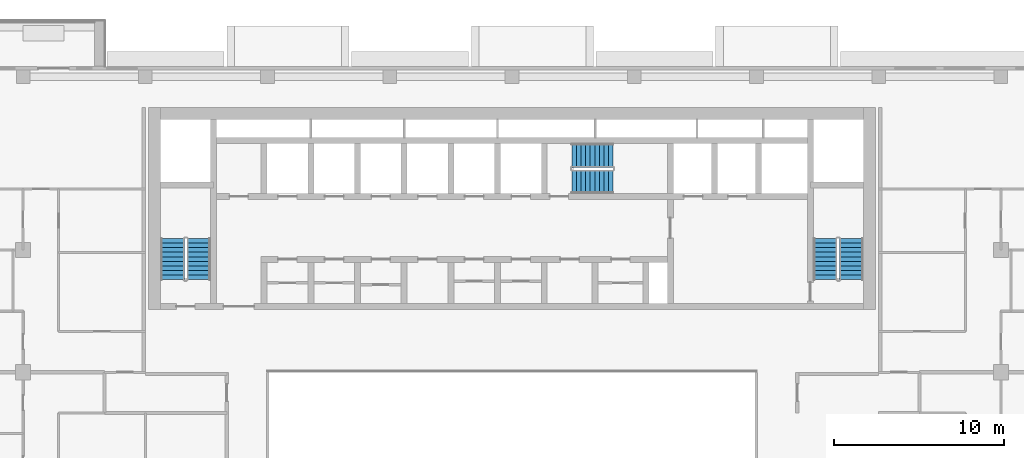
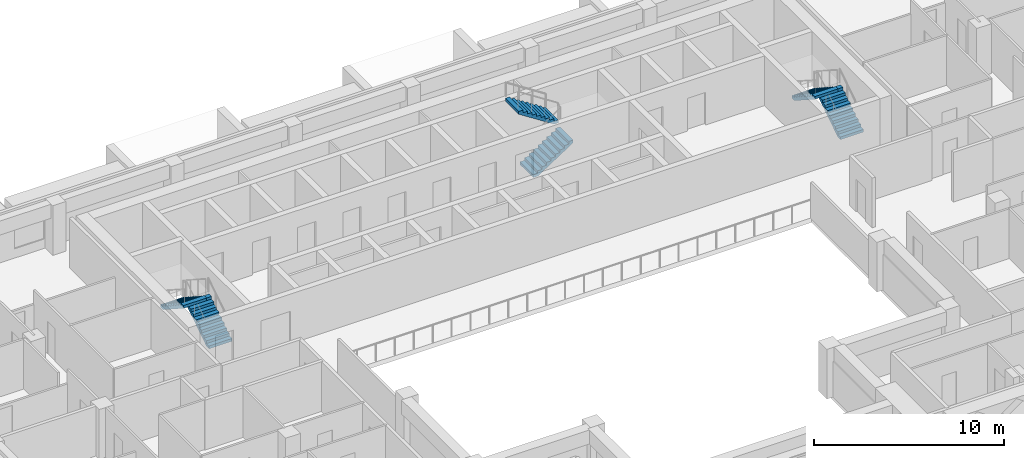
# One storey, part 13 of 20: 6 stair flights, 3 elements without a shape of their own.
"""IFC4 building model written with IfcOpenShell, lengths in metres."""

from ifc_helpers import new_model, si_unit, direction, frame, origin, place, context, subcontext, project, spatial, polyline, outline, extrude, material, layer, layer_set, type_object, element, aggregate, save


model = new_model("IFC4")

# Units and contexts
model_context = context("Model", 3, precision=1e-05, world=origin(), true_north=direction((0.0, 1.0)))
body_context = subcontext(model_context, "Body", "Model", "MODEL_VIEW")
ifc_project = project(units=[si_unit("LENGTHUNIT", "METRE"), si_unit("AREAUNIT", "SQUARE_METRE"), si_unit("VOLUMEUNIT", "CUBIC_METRE"), si_unit("PLANEANGLEUNIT", "RADIAN"), si_unit("MASSUNIT", "GRAM", prefix="KILO")], contexts=[model_context])

# Site, building, storey
site_placement = place(None, origin())
site = spatial("IfcSite", under=ifc_project, at=site_placement, CompositionType="ELEMENT")
building_placement = place(site_placement, origin())
building = spatial("IfcBuilding", under=site, at=building_placement, Name="Saffron Iwan Residences", CompositionType="ELEMENT")
storey_placement = place(building_placement, frame((0.0, 0.0, 195.5)))
storey = spatial("IfcBuildingStorey", under=building, at=storey_placement, Name="L52", CompositionType="ELEMENT", Elevation=195.5)

# Stair, stair flights
ifc_material = material(Name="Concrete C50/60", Category="concrete")
stair_type = type_object("IfcStairType", Name="Stair ST-CORE", PredefinedType="HALF_TURN_STAIR", material=ifc_material)
stair_1_placement = place(storey_placement, origin())
stair_1 = element("IfcStair", 1, at=stair_1_placement, inside=storey, type_object=stair_type, Name="L52 Exit Stair ST-W", PredefinedType="HALF_TURN_STAIR")
ifc_layer = layer(ifc_material, 0.14990234375)
ifc_layer_set = layer_set([ifc_layer], Name="Concrete C50/60")
stair_flight_type = type_object("IfcStairFlightType", Name="Stair flight SFL-RC", PredefinedType="STRAIGHT", material=ifc_layer_set)
stair_flight_1_placement = place(storey_placement, frame((31.949951171875, 67.85009765625, 0.0), z_axis=(0.0, 0.0, 1.0), x_axis=(0.0, 1.0, 0.0)))
stair_flight_1 = element("IfcStairFlight", 2, at=stair_flight_1_placement, type_object=stair_flight_type, Name="ST-W flight 1", NumberOfRisers=10, NumberOfTreads=9, PredefinedType="STRAIGHT", RiserHeight=0.175, TreadLength=0.27, context=body_context, shape_type="SweptSolid", body=[
    extrude(outline(polyline([(0.0, 0.0), (0.0, 0.175048828125), (0.27001953125, 0.175048828125), (0.27001953125, 0.35009765625), (0.5400390625, 0.35009765625), (0.5400390625, 0.52490234375), (0.81005859375, 0.52490234375), (0.81005859375, 0.699951171875), (1.080078125, 0.699951171875), (1.080078125, 0.875), (1.35009765625, 0.875), (1.35009765625, 1.050048828125), (1.6201171875, 1.050048828125), (1.6201171875, 1.22509765625), (1.889892578125, 1.22509765625), (1.889892578125, 1.39990234375), (2.159912109375, 1.39990234375), (2.159912109375, 1.574951171875), (2.429931640625, 1.574951171875), (2.429931640625, 1.75), (2.429931640625, 1.396484375), (0.275634765625, 0.0), (0.0, 0.0)])), frame((0.0, 0.699951171875, 0.0), z_axis=(0.0, -1.0, 0.0), x_axis=(1.0, 0.0, 0.0)), (0.0, 0.0, 1.0), 1.39990234375),
])
stair_flight_2_placement = place(storey_placement, frame((30.39990234375, 70.280029296875, 1.75), z_axis=(0.0, 0.0, 1.0), x_axis=(0.0, -1.0, 0.0)))
stair_flight_2 = element("IfcStairFlight", 3, at=stair_flight_2_placement, type_object=stair_flight_type, Name="ST-W flight 2", NumberOfRisers=10, NumberOfTreads=9, PredefinedType="STRAIGHT", RiserHeight=0.175, TreadLength=0.27, context=body_context, shape_type="SweptSolid", body=[
    extrude(outline(polyline([(0.0, 0.0), (0.0, 0.175048828125), (0.27001953125, 0.175048828125), (0.27001953125, 0.35009765625), (0.5400390625, 0.35009765625), (0.5400390625, 0.52490234375), (0.81005859375, 0.52490234375), (0.81005859375, 0.699951171875), (1.080078125, 0.699951171875), (1.080078125, 0.875), (1.35009765625, 0.875), (1.35009765625, 1.050048828125), (1.6201171875, 1.050048828125), (1.6201171875, 1.22509765625), (1.889892578125, 1.22509765625), (1.889892578125, 1.39990234375), (2.159912109375, 1.39990234375), (2.159912109375, 1.574951171875), (2.429931640625, 1.574951171875), (2.429931640625, 1.75), (2.429931640625, 1.396484375), (0.275634765625, 0.0), (0.0, 0.0)])), frame((0.0, 0.699951171875, 0.0), z_axis=(0.0, -1.0, 0.0), x_axis=(1.0, 0.0, 0.0)), (0.0, 0.0, 1.0), 1.39990234375),
])
aggregate(stair_1, [stair_flight_1, stair_flight_2])

stair_2_placement = place(storey_placement, origin())
stair_2 = element("IfcStair", 4, at=stair_2_placement, inside=storey, type_object=stair_type, Name="L52 Exit Stair ST-C", PredefinedType="HALF_TURN_STAIR")
stair_flight_3_placement = place(storey_placement, frame((53.925048828125, 73.625, 0.0), z_axis=(0.0, 0.0, 1.0), x_axis=(1.0, 0.0, 0.0)))
stair_flight_3 = element("IfcStairFlight", 5, at=stair_flight_3_placement, type_object=stair_flight_type, Name="ST-C flight 1", NumberOfRisers=10, NumberOfTreads=9, PredefinedType="STRAIGHT", RiserHeight=0.175, TreadLength=0.27, context=body_context, shape_type="SweptSolid", body=[
    extrude(outline(polyline([(0.0, 0.0), (0.0, 0.175048828125), (0.27001953125, 0.175048828125), (0.27001953125, 0.35009765625), (0.5400390625, 0.35009765625), (0.5400390625, 0.52490234375), (0.81005859375, 0.52490234375), (0.81005859375, 0.699951171875), (1.080078125, 0.699951171875), (1.080078125, 0.875), (1.35009765625, 0.875), (1.35009765625, 1.050048828125), (1.6201171875, 1.050048828125), (1.6201171875, 1.22509765625), (1.889892578125, 1.22509765625), (1.889892578125, 1.39990234375), (2.159912109375, 1.39990234375), (2.159912109375, 1.574951171875), (2.429931640625, 1.574951171875), (2.429931640625, 1.75), (2.429931640625, 1.396484375), (0.275634765625, 0.0), (0.0, 0.0)])), frame((0.0, 0.699951171875, 0.0), z_axis=(0.0, -1.0, 0.0), x_axis=(1.0, 0.0, 0.0)), (0.0, 0.0, 1.0), 1.39990234375),
])
stair_flight_4_placement = place(storey_placement, frame((56.35498046875, 75.175048828125, 1.75), z_axis=(0.0, 0.0, 1.0), x_axis=(-1.0, 0.0, 0.0)))
stair_flight_4 = element("IfcStairFlight", 6, at=stair_flight_4_placement, type_object=stair_flight_type, Name="ST-C flight 2", NumberOfRisers=10, NumberOfTreads=9, PredefinedType="STRAIGHT", RiserHeight=0.175, TreadLength=0.27, context=body_context, shape_type="SweptSolid", body=[
    extrude(outline(polyline([(0.0, 0.0), (0.0, 0.175048828125), (0.27001953125, 0.175048828125), (0.27001953125, 0.35009765625), (0.5400390625, 0.35009765625), (0.5400390625, 0.52490234375), (0.81005859375, 0.52490234375), (0.81005859375, 0.699951171875), (1.080078125, 0.699951171875), (1.080078125, 0.875), (1.35009765625, 0.875), (1.35009765625, 1.050048828125), (1.6201171875, 1.050048828125), (1.6201171875, 1.22509765625), (1.889892578125, 1.22509765625), (1.889892578125, 1.39990234375), (2.159912109375, 1.39990234375), (2.159912109375, 1.574951171875), (2.429931640625, 1.574951171875), (2.429931640625, 1.75), (2.429931640625, 1.396484375), (0.275634765625, 0.0), (0.0, 0.0)])), frame((0.0, 0.699951171875, 0.0), z_axis=(0.0, -1.0, 0.0), x_axis=(1.0, 0.0, 0.0)), (0.0, 0.0, 1.0), 1.39990234375),
])
aggregate(stair_2, [stair_flight_3, stair_flight_4])

stair_3_placement = place(storey_placement, origin())
stair_3 = element("IfcStair", 7, at=stair_3_placement, inside=storey, type_object=stair_type, Name="L52 Exit Stair ST-E", PredefinedType="HALF_TURN_STAIR")
stair_flight_5_placement = place(storey_placement, frame((70.39990234375, 67.85009765625, 0.0), z_axis=(0.0, 0.0, 1.0), x_axis=(0.0, 1.0, 0.0)))
stair_flight_5 = element("IfcStairFlight", 8, at=stair_flight_5_placement, type_object=stair_flight_type, Name="ST-E flight 1", NumberOfRisers=10, NumberOfTreads=9, PredefinedType="STRAIGHT", RiserHeight=0.175, TreadLength=0.27, context=body_context, shape_type="SweptSolid", body=[
    extrude(outline(polyline([(0.0, 0.0), (0.0, 0.175048828125), (0.27001953125, 0.175048828125), (0.27001953125, 0.35009765625), (0.5400390625, 0.35009765625), (0.5400390625, 0.52490234375), (0.81005859375, 0.52490234375), (0.81005859375, 0.699951171875), (1.080078125, 0.699951171875), (1.080078125, 0.875), (1.35009765625, 0.875), (1.35009765625, 1.050048828125), (1.6201171875, 1.050048828125), (1.6201171875, 1.22509765625), (1.889892578125, 1.22509765625), (1.889892578125, 1.39990234375), (2.159912109375, 1.39990234375), (2.159912109375, 1.574951171875), (2.429931640625, 1.574951171875), (2.429931640625, 1.75), (2.429931640625, 1.396484375), (0.275634765625, 0.0), (0.0, 0.0)])), frame((0.0, 0.699951171875, 0.0), z_axis=(0.0, -1.0, 0.0), x_axis=(1.0, 0.0, 0.0)), (0.0, 0.0, 1.0), 1.39990234375),
])
stair_flight_6_placement = place(storey_placement, frame((68.85009765625, 70.280029296875, 1.75), z_axis=(0.0, 0.0, 1.0), x_axis=(0.0, -1.0, 0.0)))
stair_flight_6 = element("IfcStairFlight", 9, at=stair_flight_6_placement, type_object=stair_flight_type, Name="ST-E flight 2", NumberOfRisers=10, NumberOfTreads=9, PredefinedType="STRAIGHT", RiserHeight=0.175, TreadLength=0.27, context=body_context, shape_type="SweptSolid", body=[
    extrude(outline(polyline([(0.0, 0.0), (0.0, 0.175048828125), (0.27001953125, 0.175048828125), (0.27001953125, 0.35009765625), (0.5400390625, 0.35009765625), (0.5400390625, 0.52490234375), (0.81005859375, 0.52490234375), (0.81005859375, 0.699951171875), (1.080078125, 0.699951171875), (1.080078125, 0.875), (1.35009765625, 0.875), (1.35009765625, 1.050048828125), (1.6201171875, 1.050048828125), (1.6201171875, 1.22509765625), (1.889892578125, 1.22509765625), (1.889892578125, 1.39990234375), (2.159912109375, 1.39990234375), (2.159912109375, 1.574951171875), (2.429931640625, 1.574951171875), (2.429931640625, 1.75), (2.429931640625, 1.396484375), (0.275634765625, 0.0), (0.0, 0.0)])), frame((0.0, 0.699951171875, 0.0), z_axis=(0.0, -1.0, 0.0), x_axis=(1.0, 0.0, 0.0)), (0.0, 0.0, 1.0), 1.39990234375),
])
aggregate(stair_3, [stair_flight_5, stair_flight_6])

save(model, "model.ifc")
